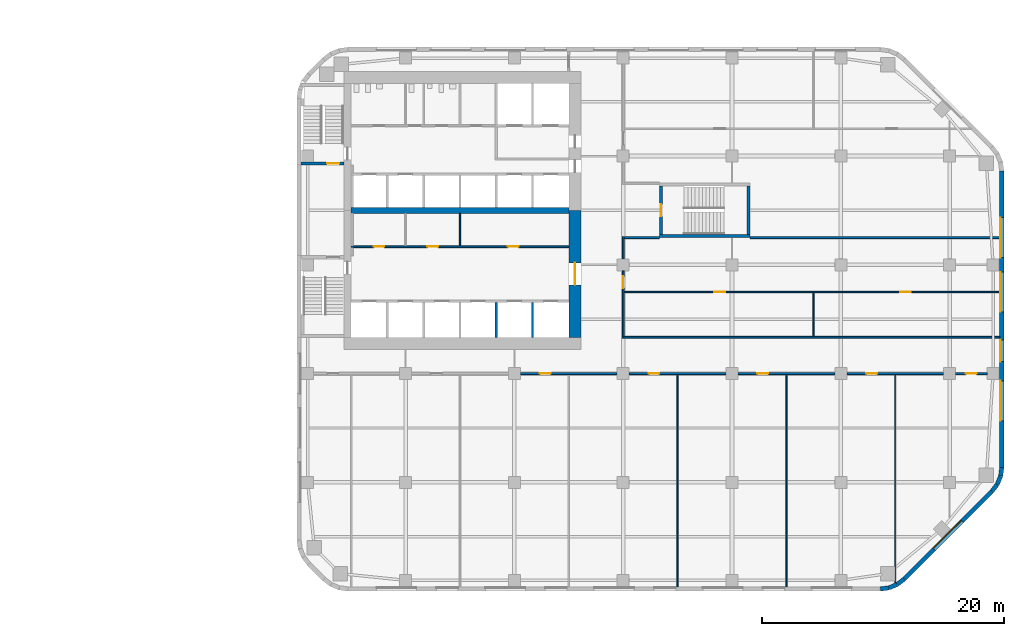
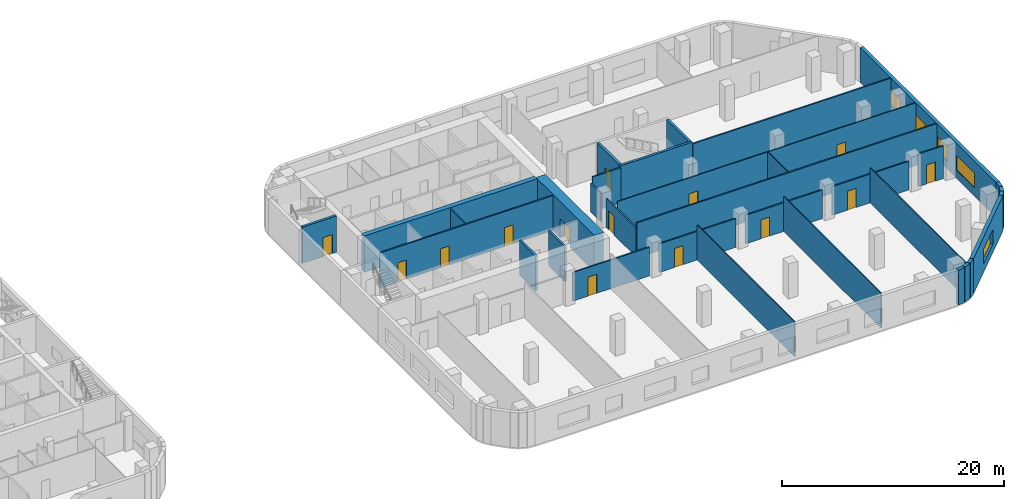
# One storey, part 9 of 15: 33 walls, 14 doors, 5 windows, 19 openings.
"""IFC4 building model written with IfcOpenShell, lengths in metres."""

import ifcopenshell
import ifcopenshell.guid

model = None  # the IFC model being written
_history = None  # IfcOwnerHistory: only IFC2X3 demands one
_inside = {}  # id of a spatial element -> (the spatial element, [elements in it])
_under = {}  # id of a project, library or spatial element -> (it, [spatial elements below it])
_declared = {}  # id of a project -> (the project, [libraries it declares])
_typed = {}  # id of a type object -> (the type object, [elements of that type])
_made_of = {}  # id of a material, layer set ... -> (it, [elements and type objects made of it])


def new_model(schema):
    """Start an empty IFC model of exactly this schema.

    Asked for "IFC4X3", IfcOpenShell would pick the latest addendum, in which some entities
    have other attributes; the version numbers below select the first issue.
    IFC2X3 requires an IfcOwnerHistory on every rooted entity: one is made here for all.
    """
    global model, _history
    if schema == "IFC4X3":
        model = ifcopenshell.file(schema_version=(4, 3, 0, 0))
    else:
        model = ifcopenshell.file(schema=schema)
    _inside.clear()
    _under.clear()
    _declared.clear()
    _typed.clear()
    _made_of.clear()
    _history = None
    if model.schema == "IFC2X3":
        org = make("IfcOrganization", Name="unknown")
        user = make(
            "IfcPersonAndOrganization",
            ThePerson=make("IfcPerson", FamilyName="unknown"),
            TheOrganization=org,
        )
        app = make(
            "IfcApplication",
            ApplicationDeveloper=org,
            Version="unknown",
            ApplicationFullName="unknown",
            ApplicationIdentifier="unknown",
        )
        _history = make(
            "IfcOwnerHistory",
            OwningUser=user,
            OwningApplication=app,
            ChangeAction="ADDED",
            CreationDate=0,
        )
    return model


def make(cls, **values):
    """One entity of the class cls with the attributes given. An attribute that is None is left unset."""
    return model.create_entity(
        cls, **{name: value for name, value in values.items() if value is not None}
    )


def rooted(cls, **values):
    """An entity with a GlobalId (a new one), such as an element, a storey or a relation."""
    return make(cls, GlobalId=ifcopenshell.guid.new(), OwnerHistory=_history, **values)


def si_unit(unit_type, name, prefix=None):
    """IfcSIUnit, for example si_unit("LENGTHUNIT", "METRE", prefix="MILLI")."""
    return make("IfcSIUnit", UnitType=unit_type, Prefix=prefix, Name=name)


def assignment(units):
    """IfcUnitAssignment: the units of a project."""
    return None if units is None else make("IfcUnitAssignment", Units=units)


def point(xyz):
    """IfcCartesianPoint."""
    return None if xyz is None else make("IfcCartesianPoint", Coordinates=xyz)


def direction(xyz):
    """IfcDirection."""
    return None if xyz is None else make("IfcDirection", DirectionRatios=xyz)


def frame(location, z_axis=None, x_axis=None):
    """IfcAxis2Placement3D, a coordinate frame: its origin and axes. An axis left out is left unset."""
    return make(
        "IfcAxis2Placement3D",
        Location=point(location),
        Axis=direction(z_axis),
        RefDirection=direction(x_axis),
    )


def frame_2d(location, x_axis=None):
    """IfcAxis2Placement2D, a coordinate frame in the plane: its origin and x axis."""
    return make(
        "IfcAxis2Placement2D", Location=point(location), RefDirection=direction(x_axis)
    )


def origin():
    """The frame at (0, 0, 0) with its axes left unset."""
    return frame((0.0, 0.0, 0.0))


def place(relative_to, where):
    """IfcLocalPlacement: puts the frame where relative to a parent placement (None: the world)."""
    return make(
        "IfcLocalPlacement", PlacementRelTo=relative_to, RelativePlacement=where
    )


def context(
    kind, dimensions, precision=None, world=None, true_north=None, identifier=None
):
    """IfcGeometricRepresentationContext, for example the 3D "Model" context."""
    return make(
        "IfcGeometricRepresentationContext",
        ContextIdentifier=identifier,
        ContextType=kind,
        CoordinateSpaceDimension=dimensions,
        Precision=precision,
        WorldCoordinateSystem=world,
        TrueNorth=true_north,
    )


def subcontext(parent, identifier, kind, view, scale=None):
    """IfcGeometricRepresentationSubContext, for example "Body" below "Model"."""
    return make(
        "IfcGeometricRepresentationSubContext",
        ContextIdentifier=identifier,
        ContextType=kind,
        ParentContext=parent,
        TargetScale=scale,
        TargetView=view,
    )


def project(units=None, contexts=None):
    """IfcProject with its units and contexts."""
    return rooted(
        "IfcProject",
        Name="project",
        RepresentationContexts=contexts,
        UnitsInContext=assignment(units),
    )


def spatial(cls, under=None, at=None, **own):
    """A site, building, storey or space (cls), placed at a placement, below another one or the project."""
    s = rooted(cls, ObjectPlacement=at, **own)
    if under is not None:
        _under.setdefault(under.id(), (under, []))[1].append(s)
    return s


def profile(cls, at=None, kind="AREA", **sizes):
    """A parametric profile (cls). Its sizes go by their IFC names, for example OverallWidth=200.0."""
    return make(cls, ProfileType=kind, Position=at, **sizes)


def rectangle(**sizes):
    """IfcRectangleProfileDef."""
    return profile("IfcRectangleProfileDef", **sizes)


def extrude(swept, where, along, depth):
    """IfcExtrudedAreaSolid: the profile swept, set in the frame where, extruded along a direction by depth."""
    return make(
        "IfcExtrudedAreaSolid",
        SweptArea=swept,
        Position=where,
        ExtrudedDirection=direction(along),
        Depth=depth,
    )


def shape(context_of_items, identifier, shape_type, items):
    """IfcShapeRepresentation: the items that make up one representation, for example the "Body"."""
    return make(
        "IfcShapeRepresentation",
        ContextOfItems=context_of_items,
        RepresentationIdentifier=identifier,
        RepresentationType=shape_type,
        Items=items,
    )


def material(Name=None, Category=None):
    """IfcMaterial."""
    return make("IfcMaterial", Name=Name, Category=Category)


def layer(
    of_material, thickness, ventilated=None, Name=None, Category=None, Priority=None
):
    """IfcMaterialLayer: one layer of a wall or slab, of a material (None: an air gap)."""
    return make(
        "IfcMaterialLayer",
        Material=of_material,
        LayerThickness=thickness,
        IsVentilated=ventilated,
        Name=Name,
        Category=Category,
        Priority=Priority,
    )


def layer_set(layers, Name=None):
    """IfcMaterialLayerSet."""
    return make("IfcMaterialLayerSet", MaterialLayers=layers, LayerSetName=Name)


def made_of(thing, what):
    """Note that an element or type object is made of a material, layer set ...; save() writes the relation."""
    if what is not None:
        _made_of.setdefault(what.id(), (what, []))[1].append(thing)
    return thing


def type_object(cls, material=None, **own):
    """A type object (cls), such as IfcWallType, which elements share."""
    return made_of(rooted(cls, **own), material)


def element(
    cls,
    number,
    at=None,
    inside=None,
    cuts=None,
    type_object=None,
    material=None,
    context=None,
    identifier="Body",
    shape_type=None,
    held_by="IfcProductDefinitionShape",
    body=None,
    shapes=None,
    **own,
):
    """One element of the class cls, such as IfcWall. Its Tag is "e" and its number.

    at: its placement. inside: the storey or other place that contains it. cuts: it is an
    opening in that element (IfcRelVoidsElement). A single representation is given by context,
    identifier, shape_type and body (its items); several are given by shapes. held_by: the class
    of the entity that holds the representations. save() writes the other relations.
    """
    e = rooted(cls, Tag="e%d" % number, ObjectPlacement=at, **own)
    if body is not None:
        shapes = [shape(context, identifier, shape_type, body)]
    if shapes is not None:
        e.Representation = make(held_by, Representations=shapes)
    if inside is not None:
        _inside.setdefault(inside.id(), (inside, []))[1].append(e)
    if cuts is not None:
        rooted(
            "IfcRelVoidsElement", RelatingBuildingElement=cuts, RelatedOpeningElement=e
        )
    if type_object is not None:
        _typed.setdefault(type_object.id(), (type_object, []))[1].append(e)
    return made_of(e, material)


def fill(opening, filler):
    """IfcRelFillsElement: the door or window that sits in an opening."""
    return rooted(
        "IfcRelFillsElement",
        RelatingOpeningElement=opening,
        RelatedBuildingElement=filler,
    )


def aggregate(whole, parts):
    """IfcRelAggregates: a whole, such as a stair, and the parts it consists of."""
    return rooted("IfcRelAggregates", RelatingObject=whole, RelatedObjects=parts)


def save(model, path):
    """Write the relations noted so far, then the file.

    IfcRelAggregates (storeys below a building ...), IfcRelContainedInSpatialStructure (elements
    in a storey), IfcRelDefinesByType, IfcRelAssociatesMaterial and IfcRelDeclares: one each for
    every whole, place, type object, material and project.
    """
    for whole, parts in _under.values():
        aggregate(whole, parts)
    for where, things in _inside.values():
        rooted(
            "IfcRelContainedInSpatialStructure",
            RelatedElements=things,
            RelatingStructure=where,
        )
    for kind, things in _typed.values():
        rooted("IfcRelDefinesByType", RelatedObjects=things, RelatingType=kind)
    for what, things in _made_of.values():
        rooted("IfcRelAssociatesMaterial", RelatedObjects=things, RelatingMaterial=what)
    for by, libraries in _declared.values():
        rooted("IfcRelDeclares", RelatingContext=by, RelatedDefinitions=libraries)
    model.write(path)


model = new_model("IFC4")

# Units and contexts
model_context = context("Model", 3, precision=1e-05, world=origin(), true_north=direction((0.0, 1.0)))
body_context = subcontext(model_context, "Body", "Model", "MODEL_VIEW")
ifc_project = project(units=[si_unit("LENGTHUNIT", "METRE"), si_unit("AREAUNIT", "SQUARE_METRE"), si_unit("VOLUMEUNIT", "CUBIC_METRE"), si_unit("PLANEANGLEUNIT", "RADIAN"), si_unit("MASSUNIT", "GRAM", prefix="KILO")], contexts=[model_context])

# Site, building, storey
site_placement = place(None, origin())
site = spatial("IfcSite", under=ifc_project, at=site_placement, CompositionType="ELEMENT")
building_placement = place(site_placement, origin())
building = spatial("IfcBuilding", under=site, at=building_placement, Name="Cinnabar Reach Civic Tower", CompositionType="ELEMENT")
storey_placement = place(building_placement, frame((0.0, 0.0, 87.0)))
storey = spatial("IfcBuildingStorey", under=building, at=storey_placement, Name="L20", CompositionType="ELEMENT", Elevation=87.0)

# Walls
ifc_material_1 = material(Name="Facing brick with insulated backing", Category="masonry")
ifc_layer_1 = layer(ifc_material_1, 0.36)
ifc_layer_set_1 = layer_set([ifc_layer_1], Name="Brick corner wall")
wall_type_1 = type_object("IfcWallType", Name="Brick corner wall", PredefinedType="STANDARD", material=ifc_layer_set_1)
for number, where, z_axis, x_axis, name in (
    (1, (48.2686, 0.183, 0.0), (0.0, 0.0, 1.0), (0.99144092581, 0.13055608231, 0.0), "Brick corner wall"),
    (2, (48.9973, 0.2819, 0.0), (0.0, 0.0, 1.0), (0.923871547278, 0.382702709855, 0.0), "Brick corner wall"),
):
    element("IfcWall", number, at=place(storey_placement, frame(where, z_axis=z_axis, x_axis=x_axis)), inside=storey, type_object=wall_type_1, Name=name, PredefinedType="STANDARD", context=body_context, shape_type="SweptSolid", body=[
        extrude(rectangle(XDim=0.7131, YDim=0.36, at=frame_2d((0.3565, 0.0))), origin(), (0.0, 0.0, 1.0), 3.85),
    ])
for number, where, z_axis, x_axis, name in (
    (3, (49.6755, 0.566, 0.0), (0.0, 0.0, 1.0), (0.793321924995, 0.608802368033, 0.0), "Brick corner wall"),
    (4, (57.4998, 8.2587, 0.0), (0.0, 0.0, 1.0), (0.608802368033, 0.793321924995, 0.0), "Brick corner wall"),
):
    element("IfcWall", number, at=place(storey_placement, frame(where, z_axis=z_axis, x_axis=x_axis)), inside=storey, type_object=wall_type_1, Name=name, PredefinedType="STANDARD", context=body_context, shape_type="SweptSolid", body=[
        extrude(rectangle(XDim=0.7132, YDim=0.36, at=frame_2d((0.3566, 0.0))), origin(), (0.0, 0.0, 1.0), 3.85),
    ])
for number, where, z_axis, x_axis, name in (
    (5, (57.9452, 8.8439, 0.0), (0.0, 0.0, 1.0), (0.382702709855, 0.923871547278, 0.0), "Brick corner wall"),
    (6, (58.2239, 9.5244, 0.0), (0.0, 0.0, 1.0), (0.13055608231, 0.99144092581, 0.0), "Brick corner wall"),
):
    element("IfcWall", number, at=place(storey_placement, frame(where, z_axis=z_axis, x_axis=x_axis)), inside=storey, type_object=wall_type_1, Name=name, PredefinedType="STANDARD", context=body_context, shape_type="SweptSolid", body=[
        extrude(rectangle(XDim=0.7131, YDim=0.36, at=frame_2d((0.3565, 0.0))), origin(), (0.0, 0.0, 1.0), 3.85),
    ])

# Wall, opening, window
ifc_layer_2 = layer(ifc_material_1, 0.36)
ifc_layer_set_2 = layer_set([ifc_layer_2], Name="Brick pier and spandrel wall")
wall_type_2 = type_object("IfcWallType", Name="Brick pier and spandrel wall", PredefinedType="STANDARD", material=ifc_layer_set_2)
wall_1_placement = place(storey_placement, frame((50.2514, 1.006, 0.0), z_axis=(0.0, 0.0, 1.0), x_axis=(0.707106781187, 0.707106781187, 0.0)))
wall_1 = element("IfcWall", 7, at=wall_1_placement, inside=storey, type_object=wall_type_2, Name="Brick facade wall", PredefinedType="STANDARD", context=body_context, shape_type="SweptSolid", body=[
    extrude(rectangle(XDim=10.2426, YDim=0.36, at=frame_2d((5.1213, 0.0))), origin(), (0.0, 0.0, 1.0), 3.85),
])
opening_1_placement = place(wall_1_placement, frame((3.4713, 0.0, 0.9)))
opening_1 = element("IfcOpeningElement", 8, at=opening_1_placement, cuts=wall_1, Name="Opening W1411", PredefinedType="OPENING", context=body_context, shape_type="SweptSolid", body=[
    extrude(rectangle(XDim=3.3, YDim=1.6, at=frame_2d((1.65, 0.8))), frame((0.0, 0.19, 0.0), z_axis=(0.0, -1.0, 0.0), x_axis=(1.0, 0.0, 0.0)), (0.0, 0.0, 1.0), 0.38),
])
ifc_material_2 = material(Name="Clear double glazing in aluminium frame", Category="aluminium")
window_type_1 = type_object("IfcWindowType", Name="Deep-set window A", PartitioningType="SINGLE_PANEL", PredefinedType="WINDOW", material=ifc_material_2)
window_1_placement = place(opening_1_placement, origin())
window_1 = element("IfcWindow", 9, at=window_1_placement, inside=storey, type_object=window_type_1, Name="Window southeast face", OverallHeight=1.6, OverallWidth=3.3, PartitioningType="SINGLE_PANEL", PredefinedType="WINDOW", context=body_context, shape_type="SweptSolid", body=[
    extrude(rectangle(XDim=3.3, YDim=1.6, at=frame_2d((1.65, 0.8))), frame((0.0, 0.13, 0.0), z_axis=(0.0, -1.0, 0.0), x_axis=(1.0, 0.0, 0.0)), (0.0, 0.0, 1.0), 0.06),
])
fill(opening_1, window_1)

# Wall, openings, windows
wall_2_placement = place(storey_placement, frame((58.32, 10.2426, 0.0), z_axis=(0.0, 0.0, 1.0), x_axis=(0.0, 1.0, 0.0)))
wall_2 = element("IfcWall", 10, at=wall_2_placement, inside=storey, type_object=wall_type_2, Name="Brick facade wall", PredefinedType="STANDARD", context=body_context, shape_type="SweptSolid", body=[
    extrude(rectangle(XDim=24.5148, YDim=0.36, at=frame_2d((12.2574, 0.0))), origin(), (0.0, 0.0, 1.0), 3.85),
])
opening_2_placement = place(wall_2_placement, frame((3.8574, 0.0, 0.9)))
opening_2 = element("IfcOpeningElement", 11, at=opening_2_placement, cuts=wall_2, Name="Opening W1412", PredefinedType="OPENING", context=body_context, shape_type="SweptSolid", body=[
    extrude(rectangle(XDim=3.3, YDim=1.6, at=frame_2d((1.65, 0.8))), frame((0.0, 0.19, 0.0), z_axis=(0.0, -1.0, 0.0), x_axis=(1.0, 0.0, 0.0)), (0.0, 0.0, 1.0), 0.38),
])
opening_3_placement = place(wall_2_placement, frame((8.7574, 0.0, 0.9)))
opening_3 = element("IfcOpeningElement", 12, at=opening_3_placement, cuts=wall_2, Name="Opening W1413", PredefinedType="OPENING", context=body_context, shape_type="SweptSolid", body=[
    extrude(rectangle(XDim=1.8, YDim=1.6, at=frame_2d((0.9, 0.8))), frame((0.0, 0.19, 0.0), z_axis=(0.0, -1.0, 0.0), x_axis=(1.0, 0.0, 0.0)), (0.0, 0.0, 1.0), 0.38),
])
opening_4_placement = place(wall_2_placement, frame((12.8574, 0.0, 0.9)))
opening_4 = element("IfcOpeningElement", 13, at=opening_4_placement, cuts=wall_2, Name="Opening W1414", PredefinedType="OPENING", context=body_context, shape_type="SweptSolid", body=[
    extrude(rectangle(XDim=3.3, YDim=1.6, at=frame_2d((1.65, 0.8))), frame((0.0, 0.19, 0.0), z_axis=(0.0, -1.0, 0.0), x_axis=(1.0, 0.0, 0.0)), (0.0, 0.0, 1.0), 0.38),
])
opening_5_placement = place(wall_2_placement, frame((17.3574, 0.0, 0.9)))
opening_5 = element("IfcOpeningElement", 14, at=opening_5_placement, cuts=wall_2, Name="Opening W1415", PredefinedType="OPENING", context=body_context, shape_type="SweptSolid", body=[
    extrude(rectangle(XDim=3.3, YDim=1.6, at=frame_2d((1.65, 0.8))), frame((0.0, 0.19, 0.0), z_axis=(0.0, -1.0, 0.0), x_axis=(1.0, 0.0, 0.0)), (0.0, 0.0, 1.0), 0.38),
])
window_2_placement = place(opening_2_placement, origin())
window_2 = element("IfcWindow", 15, at=window_2_placement, inside=storey, type_object=window_type_1, Name="Window east face", OverallHeight=1.6, OverallWidth=3.3, PartitioningType="SINGLE_PANEL", PredefinedType="WINDOW", context=body_context, shape_type="SweptSolid", body=[
    extrude(rectangle(XDim=3.3, YDim=1.6, at=frame_2d((1.65, 0.8))), frame((0.0, 0.13, 0.0), z_axis=(0.0, -1.0, 0.0), x_axis=(1.0, 0.0, 0.0)), (0.0, 0.0, 1.0), 0.06),
])
fill(opening_2, window_2)
window_3_placement = place(opening_4_placement, origin())
window_3 = element("IfcWindow", 16, at=window_3_placement, inside=storey, type_object=window_type_1, Name="Window east face", OverallHeight=1.6, OverallWidth=3.3, PartitioningType="SINGLE_PANEL", PredefinedType="WINDOW", context=body_context, shape_type="SweptSolid", body=[
    extrude(rectangle(XDim=3.3, YDim=1.6, at=frame_2d((1.65, 0.8))), frame((0.0, 0.13, 0.0), z_axis=(0.0, -1.0, 0.0), x_axis=(1.0, 0.0, 0.0)), (0.0, 0.0, 1.0), 0.06),
])
fill(opening_4, window_3)
window_4_placement = place(opening_5_placement, origin())
window_4 = element("IfcWindow", 17, at=window_4_placement, inside=storey, type_object=window_type_1, Name="Window east face", OverallHeight=1.6, OverallWidth=3.3, PartitioningType="SINGLE_PANEL", PredefinedType="WINDOW", context=body_context, shape_type="SweptSolid", body=[
    extrude(rectangle(XDim=3.3, YDim=1.6, at=frame_2d((1.65, 0.8))), frame((0.0, 0.13, 0.0), z_axis=(0.0, -1.0, 0.0), x_axis=(1.0, 0.0, 0.0)), (0.0, 0.0, 1.0), 0.06),
])
fill(opening_5, window_4)
window_type_2 = type_object("IfcWindowType", Name="Deep-set window D", PartitioningType="SINGLE_PANEL", PredefinedType="WINDOW", material=ifc_material_2)
window_5_placement = place(opening_3_placement, origin())
window_5 = element("IfcWindow", 18, at=window_5_placement, inside=storey, type_object=window_type_2, Name="Window east face", OverallHeight=1.6, OverallWidth=1.8, PartitioningType="SINGLE_PANEL", PredefinedType="WINDOW", context=body_context, shape_type="SweptSolid", body=[
    extrude(rectangle(XDim=1.8, YDim=1.6, at=frame_2d((0.9, 0.8))), frame((0.0, 0.13, 0.0), z_axis=(0.0, -1.0, 0.0), x_axis=(1.0, 0.0, 0.0)), (0.0, 0.0, 1.0), 0.06),
])
fill(opening_3, window_5)

# Wall, opening, door
ifc_material_3 = material(Name="Concrete C70", Category="concrete")
ifc_layer_3 = layer(ifc_material_3, 1.0)
ifc_layer_set_3 = layer_set([ifc_layer_3], Name="Core wall 1000 EI 180")
wall_type_3 = type_object("IfcWallType", Name="Core wall 1000 EI 180", PredefinedType="SOLIDWALL", material=ifc_layer_set_3)
wall_3_placement = place(storey_placement, frame((23.0, 21.0, 0.0), z_axis=(0.0, 0.0, 1.0), x_axis=(0.0, 1.0, 0.0)))
wall_3 = element("IfcWall", 19, at=wall_3_placement, inside=storey, type_object=wall_type_3, Name="Core wall T1 L20 E", PredefinedType="SOLIDWALL", context=body_context, shape_type="SweptSolid", body=[
    extrude(rectangle(XDim=10.5, YDim=1.0, at=frame_2d((5.25, 0.0))), origin(), (0.0, 0.0, 1.0), 4.0),
])
opening_6_placement = place(wall_3_placement, frame((4.35, 0.0, 0.0)))
opening_6 = element("IfcOpeningElement", 20, at=opening_6_placement, cuts=wall_3, Name="Opening D3817", PredefinedType="OPENING", context=body_context, shape_type="SweptSolid", body=[
    extrude(rectangle(XDim=1.8, YDim=2.1, at=frame_2d((0.9, 1.05))), frame((0.0, 0.51, 0.0), z_axis=(0.0, -1.0, 0.0), x_axis=(1.0, 0.0, 0.0)), (0.0, 0.0, 1.0), 1.02),
])
ifc_material_4 = material(Name="Timber door leaf in steel frame", Category="steel")
door_type_1 = type_object("IfcDoorType", Name="Double swing door 1800 x 2100 T1", OperationType="DOUBLE_DOOR_DOUBLE_SWING", PredefinedType="DOOR", material=ifc_material_4)
door_1_placement = place(opening_6_placement, origin())
door_1 = element("IfcDoor", 21, at=door_1_placement, inside=storey, type_object=door_type_1, Name="Door D3817", OperationType="DOUBLE_DOOR_DOUBLE_SWING", OverallHeight=2.1, OverallWidth=1.8, PredefinedType="DOOR", context=body_context, shape_type="SweptSolid", body=[
    extrude(rectangle(XDim=1.8, YDim=2.1, at=frame_2d((0.9, 1.05))), frame((0.0, 0.025, 0.0), z_axis=(0.0, -1.0, 0.0), x_axis=(1.0, 0.0, 0.0)), (0.0, 0.0, 1.0), 0.05),
])
fill(opening_6, door_1)

# Wall
ifc_material_5 = material(Name="Concrete C60", Category="concrete")
ifc_layer_4 = layer(ifc_material_5, 0.5)
ifc_layer_set_4 = layer_set([ifc_layer_4], Name="Core wall 500 EI 180")
wall_type_4 = type_object("IfcWallType", Name="Core wall 500 EI 180", PredefinedType="SOLIDWALL", material=ifc_layer_set_4)
wall_4_placement = place(storey_placement, frame((4.5, 31.5, 0.0), z_axis=(0.0, 0.0, 1.0), x_axis=(1.0, 0.0, 0.0)))
element("IfcWall", 22, at=wall_4_placement, inside=storey, type_object=wall_type_4, Name="Core spine wall T1 L20", PredefinedType="SOLIDWALL", context=body_context, shape_type="SweptSolid", body=[
    extrude(rectangle(XDim=18.0, YDim=0.5, at=frame_2d((9.0, 0.0))), origin(), (0.0, 0.0, 1.0), 4.0),
])

# Wall, opening, door
ifc_material_6 = material(Name="Gypsum board on steel studs, double layer", Category="steel")
ifc_layer_5 = layer(ifc_material_6, 0.15)
ifc_layer_set_5 = layer_set([ifc_layer_5], Name="Corridor wall 150 T1")
wall_type_5 = type_object("IfcWallType", Name="Corridor wall 150 T1", PredefinedType="PARTITIONING", material=ifc_layer_set_5)
wall_5_placement = place(storey_placement, frame((54.5, 18.0, 0.0), z_axis=(0.0, 0.0, 1.0), x_axis=(1.0, 0.0, 0.0)))
wall_5 = element("IfcWall", 23, at=wall_5_placement, inside=storey, type_object=wall_type_5, Name="Corridor wall 19", PredefinedType="PARTITIONING", context=body_context, shape_type="SweptSolid", body=[
    extrude(rectangle(XDim=2.6, YDim=0.15, at=frame_2d((1.3, 0.0))), origin(), (0.0, 0.0, 1.0), 3.602),
])
opening_7_placement = place(wall_5_placement, frame((0.85, 0.0, 0.0)))
opening_7 = element("IfcOpeningElement", 24, at=opening_7_placement, cuts=wall_5, Name="Opening D3840", PredefinedType="OPENING", context=body_context, shape_type="SweptSolid", body=[
    extrude(rectangle(XDim=0.9, YDim=2.1, at=frame_2d((0.45, 1.05))), frame((0.0, 0.085, 0.0), z_axis=(0.0, -1.0, 0.0), x_axis=(1.0, 0.0, 0.0)), (0.0, 0.0, 1.0), 0.17),
])
door_type_2 = type_object("IfcDoorType", Name="Single swing door 900 x 2100 corridor T1", OperationType="SINGLE_SWING_LEFT", PredefinedType="DOOR", material=ifc_material_4)
door_2_placement = place(opening_7_placement, frame((0.9, 0.0, 0.0), z_axis=(0.0, 0.0, 1.0), x_axis=(-1.0, 0.0, 0.0)))
door_2 = element("IfcDoor", 25, at=door_2_placement, inside=storey, type_object=door_type_2, Name="Door D3840", OperationType="SINGLE_SWING_RIGHT", OverallHeight=2.1, OverallWidth=0.9, PredefinedType="DOOR", context=body_context, shape_type="SweptSolid", body=[
    extrude(rectangle(XDim=0.9, YDim=2.1, at=frame_2d((0.45, 1.05))), frame((0.0, 0.025, 0.0), z_axis=(0.0, -1.0, 0.0), x_axis=(1.0, 0.0, 0.0)), (0.0, 0.0, 1.0), 0.05),
])
fill(opening_7, door_2)

wall_6_placement = place(storey_placement, frame((45.5, 18.0, 0.0), z_axis=(0.0, 0.0, 1.0), x_axis=(1.0, 0.0, 0.0)))
wall_6 = element("IfcWall", 26, at=wall_6_placement, inside=storey, type_object=wall_type_5, Name="Corridor wall 20", PredefinedType="PARTITIONING", context=body_context, shape_type="SweptSolid", body=[
    extrude(rectangle(XDim=8.0, YDim=0.15, at=frame_2d((4.0, 0.0))), origin(), (0.0, 0.0, 1.0), 3.15),
])
opening_8_placement = place(wall_6_placement, frame((1.6, 0.0, 0.0)))
opening_8 = element("IfcOpeningElement", 27, at=opening_8_placement, cuts=wall_6, Name="Opening D3839", PredefinedType="OPENING", context=body_context, shape_type="SweptSolid", body=[
    extrude(rectangle(XDim=0.9, YDim=2.1, at=frame_2d((0.45, 1.05))), frame((0.0, 0.085, 0.0), z_axis=(0.0, -1.0, 0.0), x_axis=(1.0, 0.0, 0.0)), (0.0, 0.0, 1.0), 0.17),
])
door_3_placement = place(opening_8_placement, frame((0.9, 0.0, 0.0), z_axis=(0.0, 0.0, 1.0), x_axis=(-1.0, 0.0, 0.0)))
door_3 = element("IfcDoor", 28, at=door_3_placement, inside=storey, type_object=door_type_2, Name="Door D3839", OperationType="SINGLE_SWING_LEFT", OverallHeight=2.1, OverallWidth=0.9, PredefinedType="DOOR", context=body_context, shape_type="SweptSolid", body=[
    extrude(rectangle(XDim=0.9, YDim=2.1, at=frame_2d((0.45, 1.05))), frame((0.0, 0.025, 0.0), z_axis=(0.0, -1.0, 0.0), x_axis=(1.0, 0.0, 0.0)), (0.0, 0.0, 1.0), 0.05),
])
fill(opening_8, door_3)

wall_7_placement = place(storey_placement, frame((36.5, 18.0, 0.0), z_axis=(0.0, 0.0, 1.0), x_axis=(1.0, 0.0, 0.0)))
wall_7 = element("IfcWall", 29, at=wall_7_placement, inside=storey, type_object=wall_type_5, Name="Corridor wall 21", PredefinedType="PARTITIONING", context=body_context, shape_type="SweptSolid", body=[
    extrude(rectangle(XDim=8.0, YDim=0.15, at=frame_2d((4.0, 0.0))), origin(), (0.0, 0.0, 1.0), 3.15),
])
opening_9_placement = place(wall_7_placement, frame((1.6, 0.0, 0.0)))
opening_9 = element("IfcOpeningElement", 30, at=opening_9_placement, cuts=wall_7, Name="Opening D3838", PredefinedType="OPENING", context=body_context, shape_type="SweptSolid", body=[
    extrude(rectangle(XDim=0.9, YDim=2.1, at=frame_2d((0.45, 1.05))), frame((0.0, 0.085, 0.0), z_axis=(0.0, -1.0, 0.0), x_axis=(1.0, 0.0, 0.0)), (0.0, 0.0, 1.0), 0.17),
])
door_4_placement = place(opening_9_placement, frame((0.9, 0.0, 0.0), z_axis=(0.0, 0.0, 1.0), x_axis=(-1.0, 0.0, 0.0)))
door_4 = element("IfcDoor", 31, at=door_4_placement, inside=storey, type_object=door_type_2, Name="Door D3838", OperationType="SINGLE_SWING_LEFT", OverallHeight=2.1, OverallWidth=0.9, PredefinedType="DOOR", context=body_context, shape_type="SweptSolid", body=[
    extrude(rectangle(XDim=0.9, YDim=2.1, at=frame_2d((0.45, 1.05))), frame((0.0, 0.025, 0.0), z_axis=(0.0, -1.0, 0.0), x_axis=(1.0, 0.0, 0.0)), (0.0, 0.0, 1.0), 0.05),
])
fill(opening_9, door_4)

wall_8_placement = place(storey_placement, frame((27.5, 18.0, 0.0), z_axis=(0.0, 0.0, 1.0), x_axis=(1.0, 0.0, 0.0)))
wall_8 = element("IfcWall", 32, at=wall_8_placement, inside=storey, type_object=wall_type_5, Name="Corridor wall 22", PredefinedType="PARTITIONING", context=body_context, shape_type="SweptSolid", body=[
    extrude(rectangle(XDim=8.0, YDim=0.15, at=frame_2d((4.0, 0.0))), origin(), (0.0, 0.0, 1.0), 3.15),
])
opening_10_placement = place(wall_8_placement, frame((1.6, 0.0, 0.0)))
opening_10 = element("IfcOpeningElement", 33, at=opening_10_placement, cuts=wall_8, Name="Opening D3837", PredefinedType="OPENING", context=body_context, shape_type="SweptSolid", body=[
    extrude(rectangle(XDim=0.9, YDim=2.1, at=frame_2d((0.45, 1.05))), frame((0.0, 0.085, 0.0), z_axis=(0.0, -1.0, 0.0), x_axis=(1.0, 0.0, 0.0)), (0.0, 0.0, 1.0), 0.17),
])
door_5_placement = place(opening_10_placement, frame((0.9, 0.0, 0.0), z_axis=(0.0, 0.0, 1.0), x_axis=(-1.0, 0.0, 0.0)))
door_5 = element("IfcDoor", 34, at=door_5_placement, inside=storey, type_object=door_type_2, Name="Door D3837", OperationType="SINGLE_SWING_RIGHT", OverallHeight=2.1, OverallWidth=0.9, PredefinedType="DOOR", context=body_context, shape_type="SweptSolid", body=[
    extrude(rectangle(XDim=0.9, YDim=2.1, at=frame_2d((0.45, 1.05))), frame((0.0, 0.025, 0.0), z_axis=(0.0, -1.0, 0.0), x_axis=(1.0, 0.0, 0.0)), (0.0, 0.0, 1.0), 0.05),
])
fill(opening_10, door_5)

wall_9_placement = place(storey_placement, frame((18.5, 18.0, 0.0), z_axis=(0.0, 0.0, 1.0), x_axis=(1.0, 0.0, 0.0)))
wall_9 = element("IfcWall", 35, at=wall_9_placement, inside=storey, type_object=wall_type_5, Name="Corridor wall 23", PredefinedType="PARTITIONING", context=body_context, shape_type="SweptSolid", body=[
    extrude(rectangle(XDim=8.0, YDim=0.15, at=frame_2d((4.0, 0.0))), origin(), (0.0, 0.0, 1.0), 3.15),
])
opening_11_placement = place(wall_9_placement, frame((1.6, 0.0, 0.0)))
opening_11 = element("IfcOpeningElement", 36, at=opening_11_placement, cuts=wall_9, Name="Opening D3836", PredefinedType="OPENING", context=body_context, shape_type="SweptSolid", body=[
    extrude(rectangle(XDim=0.9, YDim=2.1, at=frame_2d((0.45, 1.05))), frame((0.0, 0.085, 0.0), z_axis=(0.0, -1.0, 0.0), x_axis=(1.0, 0.0, 0.0)), (0.0, 0.0, 1.0), 0.17),
])
door_6_placement = place(opening_11_placement, frame((0.9, 0.0, 0.0), z_axis=(0.0, 0.0, 1.0), x_axis=(-1.0, 0.0, 0.0)))
door_6 = element("IfcDoor", 37, at=door_6_placement, inside=storey, type_object=door_type_2, Name="Door D3836", OperationType="SINGLE_SWING_RIGHT", OverallHeight=2.1, OverallWidth=0.9, PredefinedType="DOOR", context=body_context, shape_type="SweptSolid", body=[
    extrude(rectangle(XDim=0.9, YDim=2.1, at=frame_2d((0.45, 1.05))), frame((0.0, 0.025, 0.0), z_axis=(0.0, -1.0, 0.0), x_axis=(1.0, 0.0, 0.0)), (0.0, 0.0, 1.0), 0.05),
])
fill(opening_11, door_6)

# Wall
wall_10_placement = place(storey_placement, frame((26.925, 21.0, 0.0), z_axis=(0.0, 0.0, 1.0), x_axis=(1.0, 0.0, 0.0)))
element("IfcWall", 38, at=wall_10_placement, inside=storey, type_object=wall_type_5, Name="Corridor wall 26", PredefinedType="PARTITIONING", context=body_context, shape_type="SweptSolid", body=[
    extrude(rectangle(XDim=31.215, YDim=0.15, at=frame_2d((15.6075, 0.0))), origin(), (0.0, 0.0, 1.0), 3.85),
])

# Wall, openings, doors
wall_11_placement = place(storey_placement, frame((4.5, 28.5, 0.0), z_axis=(0.0, 0.0, 1.0), x_axis=(1.0, 0.0, 0.0)))
wall_11 = element("IfcWall", 39, at=wall_11_placement, inside=storey, type_object=wall_type_5, Name="Corridor wall 27", PredefinedType="PARTITIONING", context=body_context, shape_type="SweptSolid", body=[
    extrude(rectangle(XDim=18.0, YDim=0.15, at=frame_2d((9.0, 0.0))), origin(), (0.0, 0.0, 1.0), 3.85),
])
opening_12_placement = place(wall_11_placement, frame((1.85, 0.0, 0.0)))
opening_12 = element("IfcOpeningElement", 40, at=opening_12_placement, cuts=wall_11, Name="Opening D3821", PredefinedType="OPENING", context=body_context, shape_type="SweptSolid", body=[
    extrude(rectangle(XDim=0.9, YDim=2.1, at=frame_2d((0.45, 1.05))), frame((0.0, 0.085, 0.0), z_axis=(0.0, -1.0, 0.0), x_axis=(1.0, 0.0, 0.0)), (0.0, 0.0, 1.0), 0.17),
])
opening_13_placement = place(wall_11_placement, frame((6.3, 0.0, 0.0)))
opening_13 = element("IfcOpeningElement", 41, at=opening_13_placement, cuts=wall_11, Name="Opening D3822", PredefinedType="OPENING", context=body_context, shape_type="SweptSolid", body=[
    extrude(rectangle(XDim=0.9, YDim=2.1, at=frame_2d((0.45, 1.05))), frame((0.0, 0.085, 0.0), z_axis=(0.0, -1.0, 0.0), x_axis=(1.0, 0.0, 0.0)), (0.0, 0.0, 1.0), 0.17),
])
opening_14_placement = place(wall_11_placement, frame((12.95, 0.0, 0.0)))
opening_14 = element("IfcOpeningElement", 42, at=opening_14_placement, cuts=wall_11, Name="Opening D3823", PredefinedType="OPENING", context=body_context, shape_type="SweptSolid", body=[
    extrude(rectangle(XDim=0.9, YDim=2.1, at=frame_2d((0.45, 1.05))), frame((0.0, 0.085, 0.0), z_axis=(0.0, -1.0, 0.0), x_axis=(1.0, 0.0, 0.0)), (0.0, 0.0, 1.0), 0.17),
])
door_7_placement = place(opening_12_placement, origin())
door_7 = element("IfcDoor", 43, at=door_7_placement, inside=storey, type_object=door_type_2, Name="Door D3821", OperationType="SINGLE_SWING_LEFT", OverallHeight=2.1, OverallWidth=0.9, PredefinedType="DOOR", context=body_context, shape_type="SweptSolid", body=[
    extrude(rectangle(XDim=0.9, YDim=2.1, at=frame_2d((0.45, 1.05))), frame((0.0, 0.025, 0.0), z_axis=(0.0, -1.0, 0.0), x_axis=(1.0, 0.0, 0.0)), (0.0, 0.0, 1.0), 0.05),
])
fill(opening_12, door_7)
door_8_placement = place(opening_13_placement, origin())
door_8 = element("IfcDoor", 44, at=door_8_placement, inside=storey, type_object=door_type_2, Name="Door D3822", OperationType="SINGLE_SWING_RIGHT", OverallHeight=2.1, OverallWidth=0.9, PredefinedType="DOOR", context=body_context, shape_type="SweptSolid", body=[
    extrude(rectangle(XDim=0.9, YDim=2.1, at=frame_2d((0.45, 1.05))), frame((0.0, 0.025, 0.0), z_axis=(0.0, -1.0, 0.0), x_axis=(1.0, 0.0, 0.0)), (0.0, 0.0, 1.0), 0.05),
])
fill(opening_13, door_8)
door_9_placement = place(opening_14_placement, origin())
door_9 = element("IfcDoor", 45, at=door_9_placement, inside=storey, type_object=door_type_2, Name="Door D3823", OperationType="SINGLE_SWING_RIGHT", OverallHeight=2.1, OverallWidth=0.9, PredefinedType="DOOR", context=body_context, shape_type="SweptSolid", body=[
    extrude(rectangle(XDim=0.9, YDim=2.1, at=frame_2d((0.45, 1.05))), frame((0.0, 0.025, 0.0), z_axis=(0.0, -1.0, 0.0), x_axis=(1.0, 0.0, 0.0)), (0.0, 0.0, 1.0), 0.05),
])
fill(opening_14, door_9)

# Wall, opening, door
wall_12_placement = place(storey_placement, frame((27.0, 21.075, 0.0), z_axis=(0.0, 0.0, 1.0), x_axis=(0.0, 1.0, 0.0)))
wall_12 = element("IfcWall", 46, at=wall_12_placement, inside=storey, type_object=wall_type_5, Name="Corridor wall 31", PredefinedType="PARTITIONING", context=body_context, shape_type="SweptSolid", body=[
    extrude(rectangle(XDim=5.425, YDim=0.15, at=frame_2d((2.7125, 0.0))), origin(), (0.0, 0.0, 1.0), 3.158),
])
opening_15_placement = place(wall_12_placement, frame((3.975, 0.0, 0.0)))
opening_15 = element("IfcOpeningElement", 47, at=opening_15_placement, cuts=wall_12, Name="Opening D3831", PredefinedType="OPENING", context=body_context, shape_type="SweptSolid", body=[
    extrude(rectangle(XDim=1.0, YDim=2.1, at=frame_2d((0.5, 1.05))), frame((0.0, 0.085, 0.0), z_axis=(0.0, -1.0, 0.0), x_axis=(1.0, 0.0, 0.0)), (0.0, 0.0, 1.0), 0.17),
])
door_type_3 = type_object("IfcDoorType", Name="Tenancy entrance door 1000 x 2100 T1", OperationType="SINGLE_SWING_LEFT", PredefinedType="DOOR", material=ifc_material_4)
door_10_placement = place(opening_15_placement, frame((1.0, 0.0, 0.0), z_axis=(0.0, 0.0, 1.0), x_axis=(-1.0, 0.0, 0.0)))
door_10 = element("IfcDoor", 48, at=door_10_placement, inside=storey, type_object=door_type_3, Name="Door D3831", OperationType="SINGLE_SWING_RIGHT", OverallHeight=2.1, OverallWidth=1.0, PredefinedType="DOOR", context=body_context, shape_type="SweptSolid", body=[
    extrude(rectangle(XDim=1.0, YDim=2.1, at=frame_2d((0.5, 1.05))), frame((0.0, 0.025, 0.0), z_axis=(0.0, -1.0, 0.0), x_axis=(1.0, 0.0, 0.0)), (0.0, 0.0, 1.0), 0.05),
])
fill(opening_15, door_10)

# Walls
wall_13_placement = place(storey_placement, frame((27.0, 27.5, 0.0), z_axis=(0.0, 0.0, 1.0), x_axis=(0.0, 1.0, 0.0)))
element("IfcWall", 49, at=wall_13_placement, inside=storey, type_object=wall_type_5, Name="Corridor wall 32", PredefinedType="PARTITIONING", context=body_context, shape_type="SweptSolid", body=[
    extrude(rectangle(XDim=1.825, YDim=0.15, at=frame_2d((0.9125, 0.0))), origin(), (0.0, 0.0, 1.0), 3.158),
])
wall_14_placement = place(storey_placement, frame((27.075, 29.25, 0.0), z_axis=(0.0, 0.0, 1.0), x_axis=(1.0, 0.0, 0.0)))
element("IfcWall", 50, at=wall_14_placement, inside=storey, type_object=wall_type_5, Name="Corridor wall 35", PredefinedType="PARTITIONING", context=body_context, shape_type="SweptSolid", body=[
    extrude(rectangle(XDim=2.925, YDim=0.15, at=frame_2d((1.4625, 0.0))), origin(), (0.0, 0.0, 1.0), 3.85),
])
ifc_material_7 = material(Name="Blockwork", Category="masonry")
ifc_layer_6 = layer(ifc_material_7, 0.2)
ifc_layer_set_6 = layer_set([ifc_layer_6], Name="Lift shaft wall 200 T1")
wall_type_6 = type_object("IfcWallType", Name="Lift shaft wall 200 T1", PredefinedType="PARTITIONING", material=ifc_layer_set_6)
for number, where, z_axis, x_axis, name in (
    (51, (16.5, 21.0, 0.0), (0.0, 0.0, 1.0), (0.0, 1.0, 0.0), "Lift shaft wall 15"),
    (52, (19.5, 21.0, 0.0), (0.0, 0.0, 1.0), (0.0, 1.0, 0.0), "Lift shaft wall 17"),
):
    element("IfcWall", number, at=place(storey_placement, frame(where, z_axis=z_axis, x_axis=x_axis)), inside=storey, type_object=wall_type_6, Name=name, PredefinedType="PARTITIONING", context=body_context, shape_type="SweptSolid", body=[
        extrude(rectangle(XDim=2.9, YDim=0.2, at=frame_2d((1.45, 0.0))), origin(), (0.0, 0.0, 1.0), 3.85),
    ])

# Wall, openings, doors
ifc_material_8 = material(Name="Gypsum board on steel studs", Category="steel")
ifc_layer_7 = layer(ifc_material_8, 0.1)
ifc_layer_set_7 = layer_set([ifc_layer_7], Name="Partition wall 100 T1")
wall_type_7 = type_object("IfcWallType", Name="Partition wall 100 T1", PredefinedType="PARTITIONING", material=ifc_layer_set_7)
wall_15_placement = place(storey_placement, frame((27.075, 24.75, 0.0), z_axis=(0.0, 0.0, 1.0), x_axis=(1.0, 0.0, 0.0)))
wall_15 = element("IfcWall", 53, at=wall_15_placement, inside=storey, type_object=wall_type_7, Name="Partition wall 41", PredefinedType="PARTITIONING", context=body_context, shape_type="SweptSolid", body=[
    extrude(rectangle(XDim=31.065, YDim=0.1, at=frame_2d((15.5325, 0.0))), origin(), (0.0, 0.0, 1.0), 3.85),
])
opening_16_placement = place(wall_15_placement, frame((7.45, 0.0, 0.0)))
opening_16 = element("IfcOpeningElement", 54, at=opening_16_placement, cuts=wall_15, Name="Opening D3832", PredefinedType="OPENING", context=body_context, shape_type="SweptSolid", body=[
    extrude(rectangle(XDim=0.9, YDim=2.1, at=frame_2d((0.45, 1.05))), frame((0.0, 0.06, 0.0), z_axis=(0.0, -1.0, 0.0), x_axis=(1.0, 0.0, 0.0)), (0.0, 0.0, 1.0), 0.12),
])
opening_17_placement = place(wall_15_placement, frame((22.825, 0.0, 0.0)))
opening_17 = element("IfcOpeningElement", 55, at=opening_17_placement, cuts=wall_15, Name="Opening D3833", PredefinedType="OPENING", context=body_context, shape_type="SweptSolid", body=[
    extrude(rectangle(XDim=0.9, YDim=2.1, at=frame_2d((0.45, 1.05))), frame((0.0, 0.06, 0.0), z_axis=(0.0, -1.0, 0.0), x_axis=(1.0, 0.0, 0.0)), (0.0, 0.0, 1.0), 0.12),
])
door_type_4 = type_object("IfcDoorType", Name="Single swing door 900 x 2100 T1", OperationType="SINGLE_SWING_LEFT", PredefinedType="DOOR", material=ifc_material_4)
door_11_placement = place(opening_16_placement, frame((0.9, 0.0, 0.0), z_axis=(0.0, 0.0, 1.0), x_axis=(-1.0, 0.0, 0.0)))
door_11 = element("IfcDoor", 56, at=door_11_placement, inside=storey, type_object=door_type_4, Name="Door D3832", OperationType="SINGLE_SWING_RIGHT", OverallHeight=2.1, OverallWidth=0.9, PredefinedType="DOOR", context=body_context, shape_type="SweptSolid", body=[
    extrude(rectangle(XDim=0.9, YDim=2.1, at=frame_2d((0.45, 1.05))), frame((0.0, 0.025, 0.0), z_axis=(0.0, -1.0, 0.0), x_axis=(1.0, 0.0, 0.0)), (0.0, 0.0, 1.0), 0.05),
])
fill(opening_16, door_11)
door_12_placement = place(opening_17_placement, frame((0.9, 0.0, 0.0), z_axis=(0.0, 0.0, 1.0), x_axis=(-1.0, 0.0, 0.0)))
door_12 = element("IfcDoor", 57, at=door_12_placement, inside=storey, type_object=door_type_4, Name="Door D3833", OperationType="SINGLE_SWING_LEFT", OverallHeight=2.1, OverallWidth=0.9, PredefinedType="DOOR", context=body_context, shape_type="SweptSolid", body=[
    extrude(rectangle(XDim=0.9, YDim=2.1, at=frame_2d((0.45, 1.05))), frame((0.0, 0.025, 0.0), z_axis=(0.0, -1.0, 0.0), x_axis=(1.0, 0.0, 0.0)), (0.0, 0.0, 1.0), 0.05),
])
fill(opening_17, door_12)

# Walls
for number, where, z_axis, x_axis, name in (
    (58, (31.5, 0.36, 0.0), (0.0, 0.0, 1.0), (0.0, 1.0, 0.0), "Partition wall 46"),
    (59, (40.5, 0.36, 0.0), (0.0, 0.0, 1.0), (0.0, 1.0, 0.0), "Partition wall 47"),
):
    element("IfcWall", number, at=place(storey_placement, frame(where, z_axis=z_axis, x_axis=x_axis)), inside=storey, type_object=wall_type_7, Name=name, PredefinedType="PARTITIONING", context=body_context, shape_type="SweptSolid", body=[
        extrude(rectangle(XDim=17.565, YDim=0.1, at=frame_2d((8.7825, 0.0))), origin(), (0.0, 0.0, 1.0), 3.85),
    ])
wall_16_placement = place(storey_placement, frame((49.5, 0.7057, 0.0), z_axis=(0.0, 0.0, 1.0), x_axis=(0.0, 1.0, 0.0)))
element("IfcWall", 60, at=wall_16_placement, inside=storey, type_object=wall_type_7, Name="Partition wall 48", PredefinedType="PARTITIONING", context=body_context, shape_type="SweptSolid", body=[
    extrude(rectangle(XDim=17.2193, YDim=0.1, at=frame_2d((8.6097, 0.0))), origin(), (0.0, 0.0, 1.0), 3.85),
])
wall_17_placement = place(storey_placement, frame((42.75, 21.075, 0.0), z_axis=(0.0, 0.0, 1.0), x_axis=(0.0, 1.0, 0.0)))
element("IfcWall", 61, at=wall_17_placement, inside=storey, type_object=wall_type_7, Name="Partition wall 50", PredefinedType="PARTITIONING", context=body_context, shape_type="SweptSolid", body=[
    extrude(rectangle(XDim=3.625, YDim=0.1, at=frame_2d((1.8125, 0.0))), origin(), (0.0, 0.0, 1.0), 3.85),
])
wall_18_placement = place(storey_placement, frame((13.5, 28.575, 0.0), z_axis=(0.0, 0.0, 1.0), x_axis=(0.0, 1.0, 0.0)))
element("IfcWall", 62, at=wall_18_placement, inside=storey, type_object=wall_type_7, Name="Partition wall 54", PredefinedType="PARTITIONING", context=body_context, shape_type="SweptSolid", body=[
    extrude(rectangle(XDim=2.675, YDim=0.1, at=frame_2d((1.3375, 0.0))), origin(), (0.0, 0.0, 1.0), 3.85),
])

# Wall, opening, door
ifc_layer_8 = layer(ifc_material_5, 0.25)
ifc_layer_set_8 = layer_set([ifc_layer_8], Name="Stair shaft wall 250 EI 120")
wall_type_8 = type_object("IfcWallType", Name="Stair shaft wall 250 EI 120", PredefinedType="SOLIDWALL", material=ifc_layer_set_8)
wall_19_placement = place(storey_placement, frame((0.36, 35.375, 0.0), z_axis=(0.0, 0.0, 1.0), x_axis=(1.0, 0.0, 0.0)))
wall_19 = element("IfcWall", 63, at=wall_19_placement, inside=storey, type_object=wall_type_8, Name="Stair shaft wall T1-S2 L20", PredefinedType="SOLIDWALL", context=body_context, shape_type="SweptSolid", body=[
    extrude(rectangle(XDim=3.54, YDim=0.25, at=frame_2d((1.77, 0.0))), origin(), (0.0, 0.0, 1.0), 4.0),
])
opening_18_placement = place(wall_19_placement, frame((2.14, 0.0, 0.0)))
opening_18 = element("IfcOpeningElement", 64, at=opening_18_placement, cuts=wall_19, Name="Opening D3804", PredefinedType="OPENING", context=body_context, shape_type="SweptSolid", body=[
    extrude(rectangle(XDim=1.0, YDim=2.1, at=frame_2d((0.5, 1.05))), frame((0.0, 0.135, 0.0), z_axis=(0.0, -1.0, 0.0), x_axis=(1.0, 0.0, 0.0)), (0.0, 0.0, 1.0), 0.27),
])
door_type_5 = type_object("IfcDoorType", Name="Stair door 1000 x 2100 T1", OperationType="SINGLE_SWING_LEFT", PredefinedType="DOOR", material=ifc_material_4)
door_13_placement = place(opening_18_placement, origin())
door_13 = element("IfcDoor", 65, at=door_13_placement, inside=storey, type_object=door_type_5, Name="Door D3804", OperationType="SINGLE_SWING_RIGHT", OverallHeight=2.1, OverallWidth=1.0, PredefinedType="DOOR", context=body_context, shape_type="SweptSolid", body=[
    extrude(rectangle(XDim=1.0, YDim=2.1, at=frame_2d((0.5, 1.05))), frame((0.0, 0.025, 0.0), z_axis=(0.0, -1.0, 0.0), x_axis=(1.0, 0.0, 0.0)), (0.0, 0.0, 1.0), 0.05),
])
fill(opening_18, door_13)

# Walls
wall_20_placement = place(storey_placement, frame((30.0, 29.375, 0.0), z_axis=(0.0, 0.0, 1.0), x_axis=(1.0, 0.0, 0.0)))
element("IfcWall", 66, at=wall_20_placement, inside=storey, type_object=wall_type_8, Name="Stair shaft wall T1-S3 L20", PredefinedType="SOLIDWALL", context=body_context, shape_type="SweptSolid", body=[
    extrude(rectangle(XDim=7.5, YDim=0.25, at=frame_2d((3.75, 0.0))), origin(), (0.0, 0.0, 1.0), 4.0),
])
wall_21_placement = place(storey_placement, frame((37.375, 29.5, 0.0), z_axis=(0.0, 0.0, 1.0), x_axis=(0.0, 1.0, 0.0)))
element("IfcWall", 67, at=wall_21_placement, inside=storey, type_object=wall_type_8, Name="Stair shaft wall T1-S3 L20", PredefinedType="SOLIDWALL", context=body_context, shape_type="SweptSolid", body=[
    extrude(rectangle(XDim=4.0, YDim=0.25, at=frame_2d((2.0, 0.0))), origin(), (0.0, 0.0, 1.0), 4.0),
])

# Wall, opening, door
wall_22_placement = place(storey_placement, frame((30.125, 33.5, 0.0), z_axis=(0.0, 0.0, 1.0), x_axis=(0.0, -1.0, 0.0)))
wall_22 = element("IfcWall", 68, at=wall_22_placement, inside=storey, type_object=wall_type_8, Name="Stair shaft wall T1-S3 L20", PredefinedType="SOLIDWALL", context=body_context, shape_type="SweptSolid", body=[
    extrude(rectangle(XDim=4.0, YDim=0.25, at=frame_2d((2.0, 0.0))), origin(), (0.0, 0.0, 1.0), 4.0),
])
opening_19_placement = place(wall_22_placement, frame((1.5, 0.0, 0.0)))
opening_19 = element("IfcOpeningElement", 69, at=opening_19_placement, cuts=wall_22, Name="Opening D3820", PredefinedType="OPENING", context=body_context, shape_type="SweptSolid", body=[
    extrude(rectangle(XDim=1.0, YDim=2.1, at=frame_2d((0.5, 1.05))), frame((0.0, 0.135, 0.0), z_axis=(0.0, -1.0, 0.0), x_axis=(1.0, 0.0, 0.0)), (0.0, 0.0, 1.0), 0.27),
])
door_14_placement = place(opening_19_placement, origin())
door_14 = element("IfcDoor", 70, at=door_14_placement, inside=storey, type_object=door_type_5, Name="Door D3820", OperationType="SINGLE_SWING_RIGHT", OverallHeight=2.1, OverallWidth=1.0, PredefinedType="DOOR", context=body_context, shape_type="SweptSolid", body=[
    extrude(rectangle(XDim=1.0, YDim=2.1, at=frame_2d((0.5, 1.05))), frame((0.0, 0.025, 0.0), z_axis=(0.0, -1.0, 0.0), x_axis=(1.0, 0.0, 0.0)), (0.0, 0.0, 1.0), 0.05),
])
fill(opening_19, door_14)

# Wall
ifc_layer_9 = layer(ifc_material_6, 0.15)
ifc_layer_set_9 = layer_set([ifc_layer_9], Name="Tenancy separating wall 150 T1")
wall_type_9 = type_object("IfcWallType", Name="Tenancy separating wall 150 T1", PredefinedType="PARTITIONING", material=ifc_layer_set_9)
wall_23_placement = place(storey_placement, frame((37.5, 29.25, 0.0), z_axis=(0.0, 0.0, 1.0), x_axis=(1.0, 0.0, 0.0)))
element("IfcWall", 71, at=wall_23_placement, inside=storey, type_object=wall_type_9, Name="Tenancy separating wall 40", PredefinedType="PARTITIONING", context=body_context, shape_type="SweptSolid", body=[
    extrude(rectangle(XDim=20.64, YDim=0.15, at=frame_2d((10.32, 0.0))), origin(), (0.0, 0.0, 1.0), 3.85),
])

save(model, "model.ifc")
